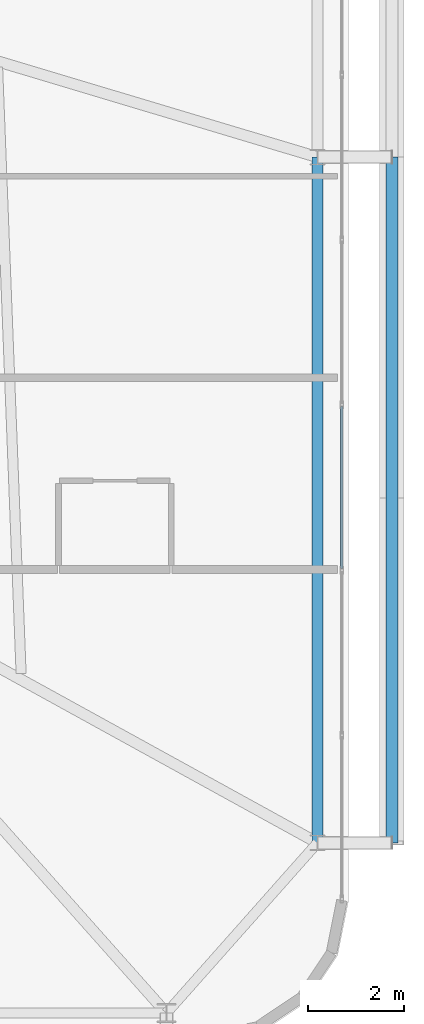
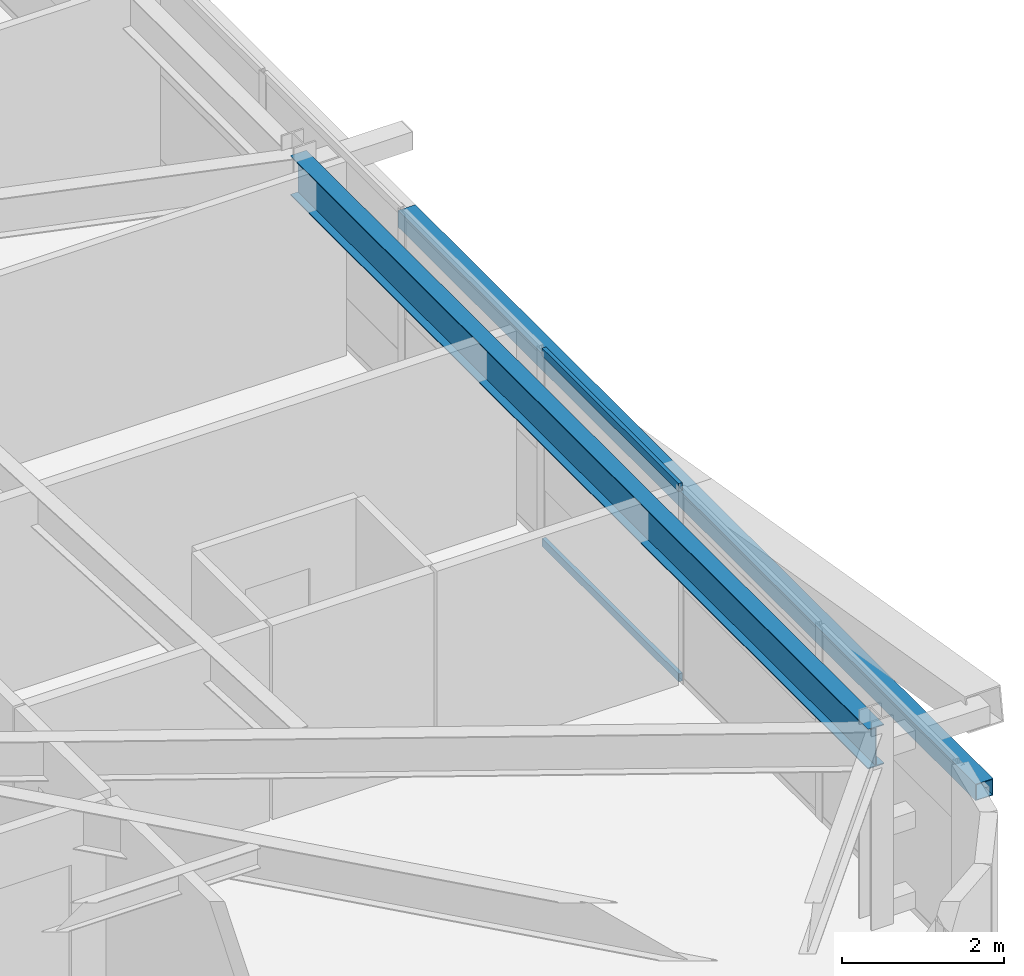
# One storey, part 27 of 59: 3 members, 1 beam, 1 element without a shape of its own.
"""IFC4 building model written with IfcOpenShell, lengths in metres."""

from ifc_helpers import new_model, si_unit, direction, frame, origin, origin_2d, place, context, subcontext, project, spatial, hollow_rectangle, i_section, extrude, source, transform, mapped, material, layer, layer_set, material_profile, profile_set, type_object, element, aggregate, save


model = new_model("IFC4")

# Units and contexts
model_context = context("Model", 3, precision=1e-05, world=origin(), true_north=direction((0.0, 1.0)))
body_context = subcontext(model_context, "Body", "Model", "MODEL_VIEW")
ifc_project = project(units=[si_unit("LENGTHUNIT", "METRE"), si_unit("AREAUNIT", "SQUARE_METRE"), si_unit("VOLUMEUNIT", "CUBIC_METRE"), si_unit("PLANEANGLEUNIT", "RADIAN"), si_unit("MASSUNIT", "GRAM", prefix="KILO")], contexts=[model_context])

# Site, building, storey
site_placement = place(None, origin())
site = spatial("IfcSite", under=ifc_project, at=site_placement, CompositionType="ELEMENT")
building_placement = place(site_placement, origin())
building = spatial("IfcBuilding", under=site, at=building_placement, Name="Taldren Reach Tower", CompositionType="ELEMENT")
storey_placement = place(building_placement, frame((0.0, 0.0, 19.949951171875)))
storey = spatial("IfcBuildingStorey", under=building, at=storey_placement, Name="L05", CompositionType="ELEMENT", Elevation=19.949951171875)

# Beam
ifc_material_1 = material(Name="Steel Gr 350 (350PLUS)", Category="steel")
ifc_material_profile_1 = material_profile(ifc_material_1, i_section(OverallWidth=0.22802734375, OverallDepth=0.60205078125, WebThickness=0.010498046875, FlangeThickness=0.014892578125, at=origin_2d()), Name="610UB101")
ifc_profile_set_1 = profile_set([ifc_material_profile_1], Name="Steel Gr 350 (350PLUS)")
beam_type = type_object("IfcBeamType", Name="BM-UB610B", PredefinedType="BEAM", material=ifc_profile_set_1)
shared_shape_1 = source(origin(), body_context, "Body", "SweptSolid", [
    extrude(i_section(OverallWidth=0.22802734375, OverallDepth=0.60205078125, WebThickness=0.010498046875, FlangeThickness=0.014892578125, at=origin_2d()), origin(), (0.0, 0.0, 1.0), 14.300048828125),
])
beam_placement = place(storey_placement, frame((64.35009765625, 5.699951171875, 2.629150390625), z_axis=(0.0, 1.0, 0.0), x_axis=(-1.0, 0.0, 0.0)))
element("IfcBeam", 1, at=beam_placement, inside=storey, type_object=beam_type, Name="Perimeter gable girder B1 E1-E2 L05", PredefinedType="BEAM", context=body_context, shape_type="MappedRepresentation", body=[
    mapped(shared_shape_1, transform((0.0, 0.0, 0.0), scale=1.0)),
])

# Member
ifc_material_2 = material(Name="Steel Gr 350 (C350L0)", Category="steel")
ifc_material_profile_2 = material_profile(ifc_material_2, hollow_rectangle(XDim=0.25, YDim=0.25, WallThickness=0.010009765625, at=origin_2d()), Name="250x250x10.0SHS")
ifc_profile_set_2 = profile_set([ifc_material_profile_2], Name="Steel Gr 350 (C350L0)")
member_type_1 = type_object("IfcMemberType", Name="MB-POST250", PredefinedType="POST", material=ifc_profile_set_2)
shared_shape_2 = source(origin(), body_context, "Body", "SweptSolid", [
    extrude(hollow_rectangle(XDim=0.25, YDim=0.25, WallThickness=0.010009765625, at=origin_2d()), origin(), (0.0, 0.0, 1.0), 14.300048828125),
])
member_1_placement = place(storey_placement, frame((65.89990234375, 5.699951171875, 1.43505859375), z_axis=(0.0, 1.0, 0.0), x_axis=(-1.0, 0.0, 0.0)))
element("IfcMember", 2, at=member_1_placement, inside=storey, type_object=member_type_1, Name="Exoskeleton mid-height ring chord B1-E1 L05", PredefinedType="POST", context=body_context, shape_type="MappedRepresentation", body=[
    mapped(shared_shape_2, transform((0.0, 0.0, 0.0), scale=1.0)),
])

# Curtain wall, members
ifc_material_3 = material(Name="Aluminium and Low-E Glass Unitised System", Category="aluminium")
ifc_layer = layer(ifc_material_3, 0.159912109375)
ifc_layer_set = layer_set([ifc_layer], Name="Aluminium and Low-E Glass Unitised System")
curtain_wall_type = type_object("IfcCurtainWallType", Name="CW-SYS-2", PredefinedType="NOTDEFINED", material=ifc_layer_set)
curtain_wall_placement = place(storey_placement, origin())
curtain_wall = element("IfcCurtainWall", 3, at=curtain_wall_placement, inside=storey, type_object=curtain_wall_type, Name="Unitised curtain wall CW-L05-E", PredefinedType="NOTDEFINED")
ifc_material_4 = material(Name="Anodised Aluminium 6063-T6", Category="aluminium")
ifc_material_profile_3 = material_profile(ifc_material_4, hollow_rectangle(XDim=0.054931640625, YDim=0.1201171875, WallThickness=0.0029296875, at=origin_2d()), Name="ALU-120x55x3RHS")
ifc_profile_set_3 = profile_set([ifc_material_profile_3], Name="Anodised Aluminium 6063-T6")
member_type_2 = type_object("IfcMemberType", Name="CW-TRN-135", PredefinedType="USERDEFINED", material=ifc_profile_set_3)
shared_shape_3 = source(origin(), body_context, "Body", "SweptSolid", [
    extrude(hollow_rectangle(XDim=0.054931640625, YDim=0.1201171875, WallThickness=0.0029296875, at=origin_2d()), origin(), (0.0, 0.0, 1.0), 3.37939453125),
])
member_2_placement = place(storey_placement, frame((64.860107421875, 11.42138671875, 0.027587890625), z_axis=(0.0, 1.0, 0.0), x_axis=(-1.0, 0.0, 0.0)))
member_2 = element("IfcMember", 4, at=member_2_placement, type_object=member_type_2, Name="CW-2 transom 3.1", ObjectType="TRANSOM", PredefinedType="USERDEFINED", context=body_context, shape_type="MappedRepresentation", body=[
    mapped(shared_shape_3, transform((0.0, 0.0, 0.0), scale=1.0)),
])
member_3_placement = place(storey_placement, frame((64.860107421875, 11.42138671875, 2.902587890625), z_axis=(0.0, 1.0, 0.0), x_axis=(-1.0, 0.0, 0.0)))
member_3 = element("IfcMember", 5, at=member_3_placement, type_object=member_type_2, Name="CW-2 transom 3.2", ObjectType="TRANSOM", PredefinedType="USERDEFINED", context=body_context, shape_type="MappedRepresentation", body=[
    mapped(shared_shape_3, transform((0.0, 0.0, 0.0), scale=1.0)),
])
aggregate(curtain_wall, [member_2, member_3])

save(model, "model.ifc")
